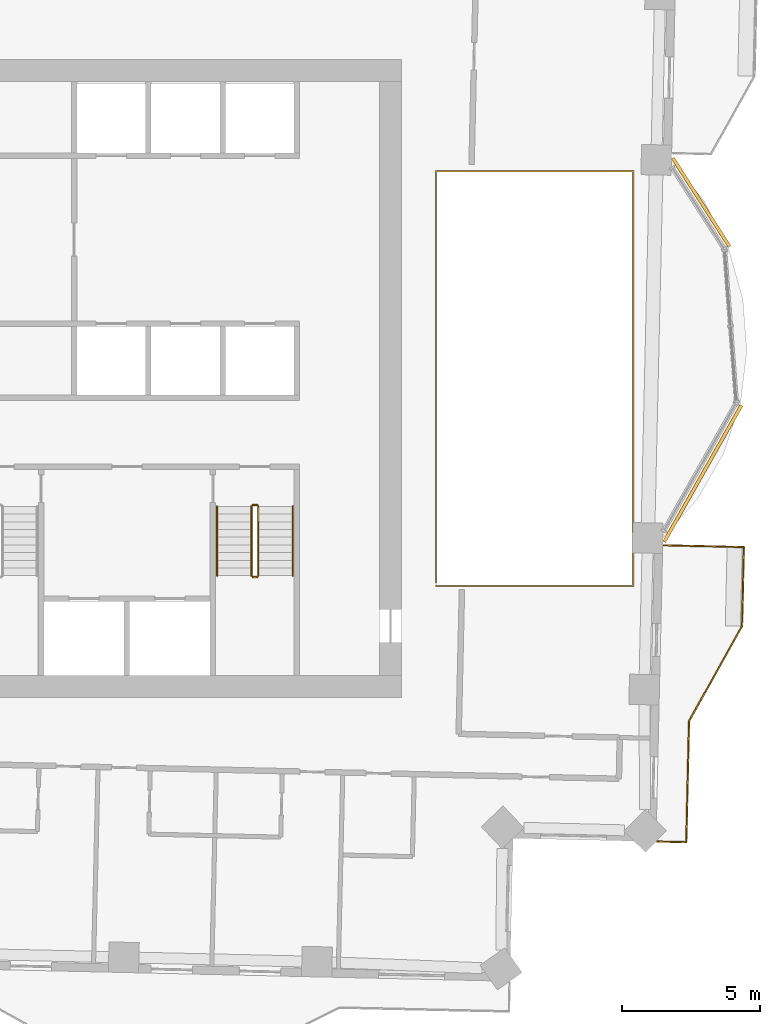
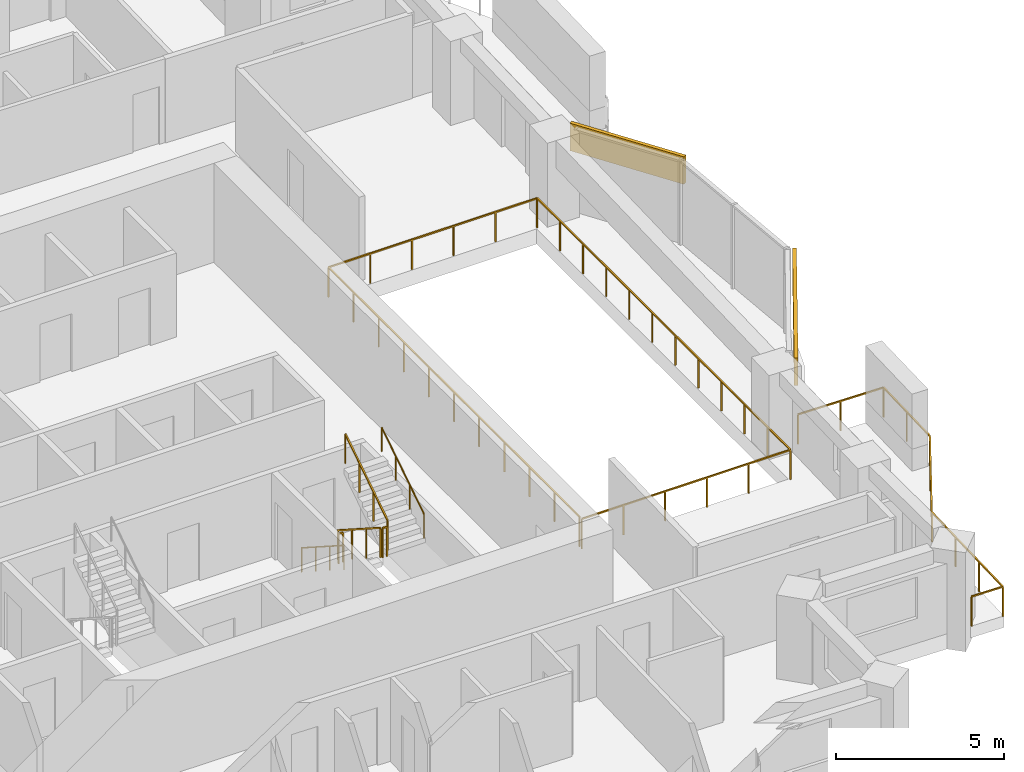
# One storey, part 13 of 14: 8 railings, 2 coverings.
"""IFC4 building model written with IfcOpenShell, lengths in metres."""

from ifc_helpers import new_model, si_unit, direction, frame, frame_2d, origin, origin_2d, place, context, subcontext, project, spatial, rectangle, circle, extrude, material, layer, layer_set, type_object, element, save


model = new_model("IFC4")

# Units and contexts
model_context = context("Model", 3, precision=1e-05, world=origin(), true_north=direction((0.0, 1.0)))
body_context = subcontext(model_context, "Body", "Model", "MODEL_VIEW")
ifc_project = project(units=[si_unit("LENGTHUNIT", "METRE"), si_unit("AREAUNIT", "SQUARE_METRE"), si_unit("VOLUMEUNIT", "CUBIC_METRE"), si_unit("PLANEANGLEUNIT", "RADIAN"), si_unit("MASSUNIT", "GRAM", prefix="KILO")], contexts=[model_context])

# Site, building, storey
site_placement = place(None, origin())
site = spatial("IfcSite", under=ifc_project, at=site_placement, CompositionType="ELEMENT")
building_placement = place(site_placement, origin())
building = spatial("IfcBuilding", under=site, at=building_placement, Name="Mangrove Gate Tower", CompositionType="ELEMENT")
storey_placement = place(building_placement, frame((0.0, 0.0, 208.699951171875)))
storey = spatial("IfcBuildingStorey", under=building, at=storey_placement, Name="L53", CompositionType="ELEMENT", Elevation=208.699951171875)

# Railings
ifc_material_1 = material(Name="Stainless steel grade 316 with laminated glass infill", Category="steel")
railing_type_1 = type_object("IfcRailingType", Name="Balcony guard 1100", PredefinedType="GUARDRAIL", material=ifc_material_1)
railing_1_placement = place(storey_placement, frame((23.89892578125, -16.8330078125, 0.0)))
element("IfcRailing", 1, at=railing_1_placement, inside=storey, type_object=railing_type_1, Name="GUARD L53 E1", PredefinedType="GUARDRAIL", context=body_context, shape_type="SweptSolid", body=[
    extrude(rectangle(XDim=0.048095703125, YDim=0.048095703125, at=origin_2d()), frame((0.0, 0.0, 1.076171875), z_axis=(0.999745389313, -0.022564497502, 0.0), x_axis=(0.022564497502, 0.999745389313, 0.0)), (0.0, 0.0, 1.0), 1.060302734375),
    extrude(rectangle(XDim=0.048095703125, YDim=0.048095703125, at=origin_2d()), frame((1.06005859375, -0.02392578125, 1.076171875), z_axis=(0.022749133868, 0.999741204967, 0.0), x_axis=(-0.999741204967, 0.022749133868, 0.0)), (0.0, 0.0, 1.0), 4.400146484375),
    extrude(rectangle(XDim=0.048095703125, YDim=0.048095703125, at=origin_2d()), frame((1.16015625, 4.375, 1.076171875), z_axis=(0.48726008209, 0.87325689943, 0.0), x_axis=(-0.87325689943, 0.48726008209, 0.0)), (0.0, 0.0, 1.0), 3.958740234375),
    extrude(rectangle(XDim=0.048095703125, YDim=0.048095703125, at=origin_2d()), frame((3.089111328125, 7.83203125, 1.076171875), z_axis=(0.022590224177, 0.999744808324, 0.0), x_axis=(-0.999744808324, 0.022590224177, 0.0)), (0.0, 0.0, 1.0), 2.874755859375),
    extrude(rectangle(XDim=0.048095703125, YDim=0.048095703125, at=origin_2d()), frame((3.154052734375, 10.7060546875, 1.076171875), z_axis=(-0.999743349437, 0.022654696127, 0.0), x_axis=(-0.022654696127, -0.999743349437, 0.0)), (0.0, 0.0, 1.0), 2.90966796875),
    extrude(rectangle(XDim=0.0419921875, YDim=0.0419921875, at=origin_2d()), origin(), (0.0, 0.0, 1.0), 1.052001953125),
    extrude(rectangle(XDim=0.0419921875, YDim=0.0419921875, at=origin_2d()), frame((1.06005859375, -0.02392578125, 0.0)), (0.0, 0.0, 1.0), 1.052001953125),
    extrude(rectangle(XDim=0.0419921875, YDim=0.0419921875, at=origin_2d()), frame((1.093505859375, 1.4423828125, 0.0)), (0.0, 0.0, 1.0), 1.052001953125),
    extrude(rectangle(XDim=0.0419921875, YDim=0.0419921875, at=origin_2d()), frame((1.126708984375, 2.90869140625, 0.0)), (0.0, 0.0, 1.0), 1.052001953125),
    extrude(rectangle(XDim=0.0419921875, YDim=0.0419921875, at=origin_2d()), frame((1.16015625, 4.375, 0.0)), (0.0, 0.0, 1.0), 1.052001953125),
    extrude(rectangle(XDim=0.0419921875, YDim=0.0419921875, at=origin_2d()), frame((1.80322265625, 5.52734375, 0.0)), (0.0, 0.0, 1.0), 1.052001953125),
    extrude(rectangle(XDim=0.0419921875, YDim=0.0419921875, at=origin_2d()), frame((2.446044921875, 6.6796875, 0.0)), (0.0, 0.0, 1.0), 1.052001953125),
    extrude(rectangle(XDim=0.0419921875, YDim=0.0419921875, at=origin_2d()), frame((3.089111328125, 7.83203125, 0.0)), (0.0, 0.0, 1.0), 1.052001953125),
    extrude(rectangle(XDim=0.0419921875, YDim=0.0419921875, at=origin_2d()), frame((3.12158203125, 9.26904296875, 0.0)), (0.0, 0.0, 1.0), 1.052001953125),
    extrude(rectangle(XDim=0.0419921875, YDim=0.0419921875, at=origin_2d()), frame((3.154052734375, 10.7060546875, 0.0)), (0.0, 0.0, 1.0), 1.052001953125),
    extrude(rectangle(XDim=0.0419921875, YDim=0.0419921875, at=origin_2d()), frame((1.69970703125, 10.739013671875, 0.0)), (0.0, 0.0, 1.0), 1.052001953125),
    extrude(rectangle(XDim=0.0419921875, YDim=0.0419921875, at=origin_2d()), frame((0.2451171875, 10.77197265625, 0.0)), (0.0, 0.0, 1.0), 1.052001953125),
])
railing_2_placement = place(storey_placement, frame((15.860107421875, -7.5400390625, 0.0)))
element("IfcRailing", 2, at=railing_2_placement, inside=storey, type_object=railing_type_1, Name="GUARD L53 atrium", PredefinedType="GUARDRAIL", context=body_context, shape_type="SweptSolid", body=[
    extrude(rectangle(XDim=0.048095703125, YDim=0.048095703125, at=origin_2d()), frame((0.0, 0.0, 1.076171875), z_axis=(1.0, 0.0, 0.0), x_axis=(0.0, 1.0, 0.0)), (0.0, 0.0, 1.0), 7.1748046875),
    extrude(rectangle(XDim=0.048095703125, YDim=0.048095703125, at=origin_2d()), frame((7.1748046875, 0.0, 1.076171875), z_axis=(0.0, 1.0, 0.0), x_axis=(-1.0, 0.0, 0.0)), (0.0, 0.0, 1.0), 15.080078125),
    extrude(rectangle(XDim=0.048095703125, YDim=0.048095703125, at=origin_2d()), frame((7.1748046875, 15.080078125, 1.076171875), z_axis=(-1.0, 0.0, 0.0), x_axis=(0.0, -1.0, 0.0)), (0.0, 0.0, 1.0), 7.1748046875),
    extrude(rectangle(XDim=0.048095703125, YDim=0.048095703125, at=origin_2d()), frame((0.0, 15.080078125, 1.076171875), z_axis=(0.0, -1.0, 0.0), x_axis=(1.0, 0.0, 0.0)), (0.0, 0.0, 1.0), 14.9599609375),
    extrude(rectangle(XDim=0.0419921875, YDim=0.0419921875, at=origin_2d()), origin(), (0.0, 0.0, 1.0), 1.052001953125),
    extrude(rectangle(XDim=0.0419921875, YDim=0.0419921875, at=origin_2d()), frame((1.43505859375, 0.0, 0.0)), (0.0, 0.0, 1.0), 1.052001953125),
    extrude(rectangle(XDim=0.0419921875, YDim=0.0419921875, at=origin_2d()), frame((2.869873046875, 0.0, 0.0)), (0.0, 0.0, 1.0), 1.052001953125),
    extrude(rectangle(XDim=0.0419921875, YDim=0.0419921875, at=origin_2d()), frame((4.304931640625, 0.0, 0.0)), (0.0, 0.0, 1.0), 1.052001953125),
    extrude(rectangle(XDim=0.0419921875, YDim=0.0419921875, at=origin_2d()), frame((5.73974609375, 0.0, 0.0)), (0.0, 0.0, 1.0), 1.052001953125),
    extrude(rectangle(XDim=0.0419921875, YDim=0.0419921875, at=origin_2d()), frame((7.1748046875, 0.0, 0.0)), (0.0, 0.0, 1.0), 1.052001953125),
    extrude(rectangle(XDim=0.0419921875, YDim=0.0419921875, at=origin_2d()), frame((7.1748046875, 1.370849609375, 0.0)), (0.0, 0.0, 1.0), 1.052001953125),
    extrude(rectangle(XDim=0.0419921875, YDim=0.0419921875, at=origin_2d()), frame((7.1748046875, 2.741943359375, 0.0)), (0.0, 0.0, 1.0), 1.052001953125),
    extrude(rectangle(XDim=0.0419921875, YDim=0.0419921875, at=origin_2d()), frame((7.1748046875, 4.11279296875, 0.0)), (0.0, 0.0, 1.0), 1.052001953125),
    extrude(rectangle(XDim=0.0419921875, YDim=0.0419921875, at=origin_2d()), frame((7.1748046875, 5.483642578125, 0.0)), (0.0, 0.0, 1.0), 1.052001953125),
    extrude(rectangle(XDim=0.0419921875, YDim=0.0419921875, at=origin_2d()), frame((7.1748046875, 6.8544921875, 0.0)), (0.0, 0.0, 1.0), 1.052001953125),
    extrude(rectangle(XDim=0.0419921875, YDim=0.0419921875, at=origin_2d()), frame((7.1748046875, 8.2255859375, 0.0)), (0.0, 0.0, 1.0), 1.052001953125),
    extrude(rectangle(XDim=0.0419921875, YDim=0.0419921875, at=origin_2d()), frame((7.1748046875, 9.596435546875, 0.0)), (0.0, 0.0, 1.0), 1.052001953125),
    extrude(rectangle(XDim=0.0419921875, YDim=0.0419921875, at=origin_2d()), frame((7.1748046875, 10.96728515625, 0.0)), (0.0, 0.0, 1.0), 1.052001953125),
    extrude(rectangle(XDim=0.0419921875, YDim=0.0419921875, at=origin_2d()), frame((7.1748046875, 12.338134765625, 0.0)), (0.0, 0.0, 1.0), 1.052001953125),
    extrude(rectangle(XDim=0.0419921875, YDim=0.0419921875, at=origin_2d()), frame((7.1748046875, 13.709228515625, 0.0)), (0.0, 0.0, 1.0), 1.052001953125),
    extrude(rectangle(XDim=0.0419921875, YDim=0.0419921875, at=origin_2d()), frame((7.1748046875, 15.080078125, 0.0)), (0.0, 0.0, 1.0), 1.052001953125),
    extrude(rectangle(XDim=0.0419921875, YDim=0.0419921875, at=origin_2d()), frame((5.73974609375, 15.080078125, 0.0)), (0.0, 0.0, 1.0), 1.052001953125),
    extrude(rectangle(XDim=0.0419921875, YDim=0.0419921875, at=origin_2d()), frame((4.304931640625, 15.080078125, 0.0)), (0.0, 0.0, 1.0), 1.052001953125),
    extrude(rectangle(XDim=0.0419921875, YDim=0.0419921875, at=origin_2d()), frame((2.869873046875, 15.080078125, 0.0)), (0.0, 0.0, 1.0), 1.052001953125),
    extrude(rectangle(XDim=0.0419921875, YDim=0.0419921875, at=origin_2d()), frame((1.43505859375, 15.080078125, 0.0)), (0.0, 0.0, 1.0), 1.052001953125),
    extrude(rectangle(XDim=0.0419921875, YDim=0.0419921875, at=origin_2d()), frame((0.0, 15.080078125, 0.0)), (0.0, 0.0, 1.0), 1.052001953125),
    extrude(rectangle(XDim=0.0419921875, YDim=0.0419921875, at=origin_2d()), frame((0.0, 13.583984375, 0.0)), (0.0, 0.0, 1.0), 1.052001953125),
    extrude(rectangle(XDim=0.0419921875, YDim=0.0419921875, at=origin_2d()), frame((0.0, 12.088134765625, 0.0)), (0.0, 0.0, 1.0), 1.052001953125),
    extrude(rectangle(XDim=0.0419921875, YDim=0.0419921875, at=origin_2d()), frame((0.0, 10.592041015625, 0.0)), (0.0, 0.0, 1.0), 1.052001953125),
    extrude(rectangle(XDim=0.0419921875, YDim=0.0419921875, at=origin_2d()), frame((0.0, 9.09619140625, 0.0)), (0.0, 0.0, 1.0), 1.052001953125),
    extrude(rectangle(XDim=0.0419921875, YDim=0.0419921875, at=origin_2d()), frame((0.0, 7.60009765625, 0.0)), (0.0, 0.0, 1.0), 1.052001953125),
    extrude(rectangle(XDim=0.0419921875, YDim=0.0419921875, at=origin_2d()), frame((0.0, 6.10400390625, 0.0)), (0.0, 0.0, 1.0), 1.052001953125),
    extrude(rectangle(XDim=0.0419921875, YDim=0.0419921875, at=origin_2d()), frame((0.0, 4.608154296875, 0.0)), (0.0, 0.0, 1.0), 1.052001953125),
    extrude(rectangle(XDim=0.0419921875, YDim=0.0419921875, at=origin_2d()), frame((0.0, 3.112060546875, 0.0)), (0.0, 0.0, 1.0), 1.052001953125),
    extrude(rectangle(XDim=0.0419921875, YDim=0.0419921875, at=origin_2d()), frame((0.0, 1.6162109375, 0.0)), (0.0, 0.0, 1.0), 1.052001953125),
    extrude(rectangle(XDim=0.0419921875, YDim=0.0419921875, at=origin_2d()), frame((0.0, 0.1201171875, 0.0)), (0.0, 0.0, 1.0), 1.052001953125),
])
ifc_material_2 = material(Name="Stainless steel 316", Category="steel")
railing_type_2 = type_object("IfcRailingType", Name="Core stair guard 1100", PredefinedType="GUARDRAIL", material=ifc_material_2)
railing_3_placement = place(storey_placement, frame((9.14990234375, -4.64990234375, 0.179931640625)))
element("IfcRailing", 3, at=railing_3_placement, inside=storey, type_object=railing_type_2, Name="L53 ST3 stair guard 1", PredefinedType="GUARDRAIL", context=body_context, shape_type="SweptSolid", body=[
    extrude(rectangle(XDim=0.048095703125, YDim=0.048095703125, at=origin_2d()), frame((0.0, 0.0, 1.076171875), z_axis=(0.0, -0.841162588446, 0.540782303519), x_axis=(1.0, 0.0, 0.0)), (0.0, 0.0, 1.0), 2.995849609375),
    extrude(rectangle(XDim=0.0419921875, YDim=0.0419921875, at=origin_2d()), origin(), (0.0, 0.0, 1.0), 1.052001953125),
    extrude(rectangle(XDim=0.0419921875, YDim=0.0419921875, at=origin_2d()), frame((0.0, -0.840087890625, 0.5400390625)), (0.0, 0.0, 1.0), 1.052001953125),
    extrude(rectangle(XDim=0.0419921875, YDim=0.0419921875, at=origin_2d()), frame((0.0, -1.679931640625, 1.080078125)), (0.0, 0.0, 1.0), 1.052001953125),
    extrude(rectangle(XDim=0.0419921875, YDim=0.0419921875, at=origin_2d()), frame((0.0, -2.52001953125, 1.6201171875)), (0.0, 0.0, 1.0), 1.052001953125),
])
railing_4_placement = place(storey_placement, frame((9.199951171875, -7.219970703125, 1.800048828125)))
element("IfcRailing", 4, at=railing_4_placement, inside=storey, type_object=railing_type_2, Name="L53 ST3 stair guard 2", PredefinedType="GUARDRAIL", context=body_context, shape_type="SweptSolid", body=[
    extrude(rectangle(XDim=0.048095703125, YDim=0.048095703125, at=origin_2d()), frame((0.0, 0.0, 1.076171875), z_axis=(1.0, 0.0, 0.0), x_axis=(0.0, 1.0, 0.0)), (0.0, 0.0, 1.0), 0.150146484375),
    extrude(rectangle(XDim=0.0419921875, YDim=0.0419921875, at=origin_2d()), origin(), (0.0, 0.0, 1.0), 1.052001953125),
    extrude(rectangle(XDim=0.0419921875, YDim=0.0419921875, at=origin_2d()), frame((0.150146484375, 0.0, 0.0)), (0.0, 0.0, 1.0), 1.052001953125),
])
railing_5_placement = place(storey_placement, frame((9.39990234375, -7.169921875, 1.97998046875)))
element("IfcRailing", 5, at=railing_5_placement, inside=storey, type_object=railing_type_2, Name="L53 ST3 stair guard 3", PredefinedType="GUARDRAIL", context=body_context, shape_type="SweptSolid", body=[
    extrude(rectangle(XDim=0.048095703125, YDim=0.048095703125, at=origin_2d()), frame((0.0, 0.0, 1.076171875), z_axis=(0.0, 0.841162588446, 0.540782303519), x_axis=(-1.0, 0.0, 0.0)), (0.0, 0.0, 1.0), 2.995849609375),
    extrude(rectangle(XDim=0.0419921875, YDim=0.0419921875, at=origin_2d()), origin(), (0.0, 0.0, 1.0), 1.052001953125),
    extrude(rectangle(XDim=0.0419921875, YDim=0.0419921875, at=origin_2d()), frame((0.0, 0.840087890625, 0.5400390625)), (0.0, 0.0, 1.0), 1.052001953125),
    extrude(rectangle(XDim=0.0419921875, YDim=0.0419921875, at=origin_2d()), frame((0.0, 1.679931640625, 1.080078125)), (0.0, 0.0, 1.0), 1.052001953125),
    extrude(rectangle(XDim=0.0419921875, YDim=0.0419921875, at=origin_2d()), frame((0.0, 2.52001953125, 1.6201171875)), (0.0, 0.0, 1.0), 1.052001953125),
])
railing_6_placement = place(storey_placement, frame((9.199951171875, -4.60009765625, 0.0)))
element("IfcRailing", 6, at=railing_6_placement, inside=storey, type_object=railing_type_2, Name="L53 ST3 stair guard 4", PredefinedType="GUARDRAIL", context=body_context, shape_type="SweptSolid", body=[
    extrude(rectangle(XDim=0.048095703125, YDim=0.048095703125, at=origin_2d()), frame((0.0, 0.0, 1.076171875), z_axis=(1.0, 0.0, 0.0), x_axis=(0.0, 1.0, 0.0)), (0.0, 0.0, 1.0), 0.150146484375),
    extrude(rectangle(XDim=0.0419921875, YDim=0.0419921875, at=origin_2d()), origin(), (0.0, 0.0, 1.0), 1.052001953125),
    extrude(rectangle(XDim=0.0419921875, YDim=0.0419921875, at=origin_2d()), frame((0.150146484375, 0.0, 0.0)), (0.0, 0.0, 1.0), 1.052001953125),
])
ifc_material_3 = material(Name="Stainless steel 316", Category="steel")
railing_type_3 = type_object("IfcRailingType", Name="Core stair handrail 900", PredefinedType="HANDRAIL", material=ifc_material_3)
railing_7_placement = place(storey_placement, frame((7.89990234375, -4.64990234375, 0.179931640625)))
element("IfcRailing", 7, at=railing_7_placement, inside=storey, type_object=railing_type_3, Name="L53 ST3 stair handrail 1", PredefinedType="HANDRAIL", context=body_context, shape_type="SweptSolid", body=[
    extrude(circle(Radius=0.02392578125, at=origin_2d()), frame((0.0, 0.0, 0.8759765625), z_axis=(0.0, -0.841162588446, 0.540782303519), x_axis=(1.0, 0.0, 0.0)), (0.0, 0.0, 1.0), 2.995849609375),
    extrude(circle(Radius=0.02099609375, at=origin_2d()), origin(), (0.0, 0.0, 1.0), 0.851806640625),
    extrude(circle(Radius=0.02099609375, at=origin_2d()), frame((0.0, -0.840087890625, 0.5400390625)), (0.0, 0.0, 1.0), 0.851806640625),
    extrude(circle(Radius=0.02099609375, at=origin_2d()), frame((0.0, -1.679931640625, 1.080078125)), (0.0, 0.0, 1.0), 0.851806640625),
    extrude(circle(Radius=0.02099609375, at=origin_2d()), frame((0.0, -2.52001953125, 1.6201171875)), (0.0, 0.0, 1.0), 0.851806640625),
])
railing_8_placement = place(storey_placement, frame((10.64990234375, -7.169921875, 1.97998046875)))
element("IfcRailing", 8, at=railing_8_placement, inside=storey, type_object=railing_type_3, Name="L53 ST3 stair handrail 2", PredefinedType="HANDRAIL", context=body_context, shape_type="SweptSolid", body=[
    extrude(circle(Radius=0.02392578125, at=origin_2d()), frame((0.0, 0.0, 0.8759765625), z_axis=(0.0, 0.841162588446, 0.540782303519), x_axis=(-1.0, 0.0, 0.0)), (0.0, 0.0, 1.0), 2.995849609375),
    extrude(circle(Radius=0.02099609375, at=origin_2d()), origin(), (0.0, 0.0, 1.0), 0.851806640625),
    extrude(circle(Radius=0.02099609375, at=origin_2d()), frame((0.0, 0.840087890625, 0.5400390625)), (0.0, 0.0, 1.0), 0.851806640625),
    extrude(circle(Radius=0.02099609375, at=origin_2d()), frame((0.0, 1.679931640625, 1.080078125)), (0.0, 0.0, 1.0), 0.851806640625),
    extrude(circle(Radius=0.02099609375, at=origin_2d()), frame((0.0, 2.52001953125, 1.6201171875)), (0.0, 0.0, 1.0), 0.851806640625),
])

# Coverings
ifc_material_4 = material(Name="Limestone", Category="masonry")
ifc_layer_1 = layer(ifc_material_4, 0.0400390625, Name="Limestone cladding")
ifc_material_5 = material(Name="Stainless steel anchors and cavity", Category="steel")
ifc_layer_2 = layer(ifc_material_5, 0.080078125, Name="Fixing cavity")
ifc_layer_set = layer_set([ifc_layer_1, ifc_layer_2], Name="Joint fascia cladding 120")
covering_type = type_object("IfcCoveringType", Name="Joint fascia cladding 120", PredefinedType="CLADDING", material=ifc_layer_set)
covering_1_placement = place(storey_placement, frame((24.156982421875, -5.9365234375, 2.050048828125), z_axis=(0.0, 0.0, 1.0), x_axis=(0.492512614445, 0.870305305403, 0.0)))
element("IfcCovering", 9, at=covering_1_placement, inside=storey, type_object=covering_type, Name="STONE FASCIA L53 E1.L1", PredefinedType="CLADDING", context=body_context, shape_type="SweptSolid", body=[
    extrude(rectangle(XDim=5.70556640625, YDim=0.1201171875, at=frame_2d((2.852783203125, 0.0))), origin(), (0.0, 0.0, 1.0), 1.0),
])
covering_2_placement = place(storey_placement, frame((26.531005859375, 4.802001953125, 2.050048828125), z_axis=(0.0, 0.0, 1.0), x_axis=(-0.540340805768, 0.841446263063, 0.0)))
element("IfcCovering", 10, at=covering_2_placement, inside=storey, type_object=covering_type, Name="STONE FASCIA L53 E1.L2", PredefinedType="CLADDING", context=body_context, shape_type="SweptSolid", body=[
    extrude(rectangle(XDim=3.81982421875, YDim=0.1201171875, at=frame_2d((1.909912109375, 0.0))), origin(), (0.0, 0.0, 1.0), 1.0),
])

save(model, "model.ifc")
